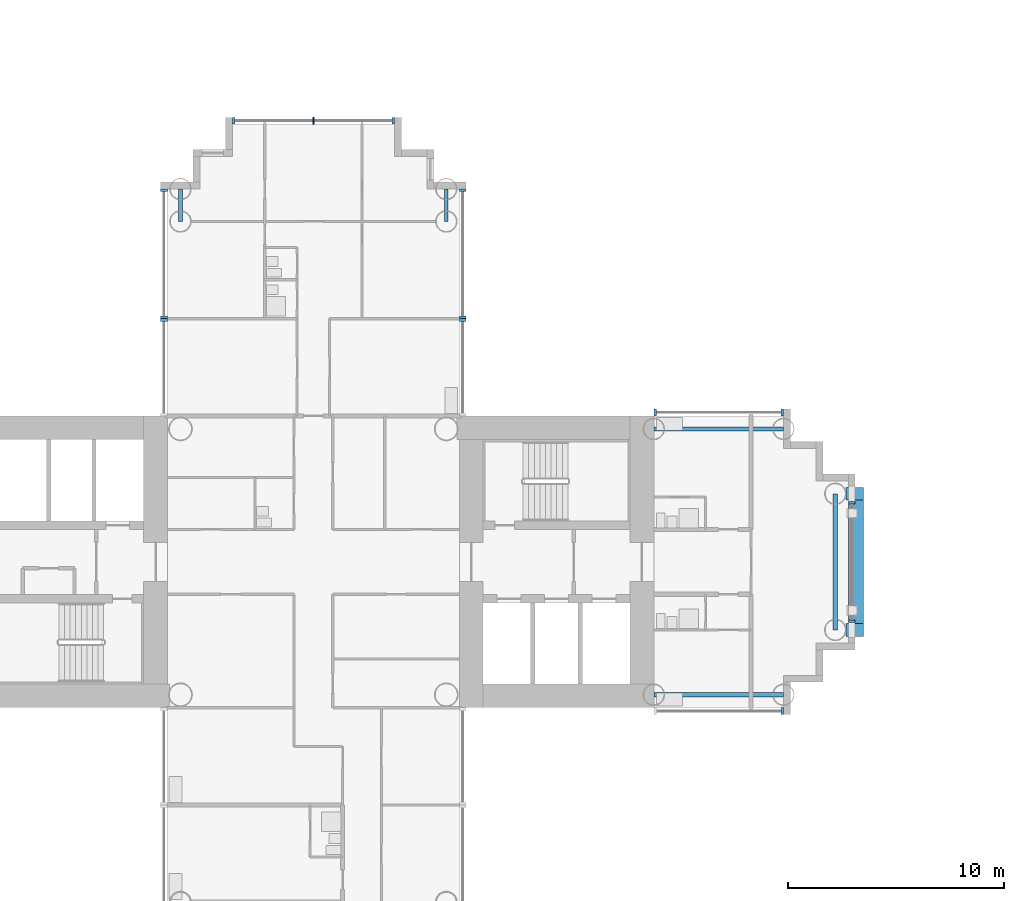
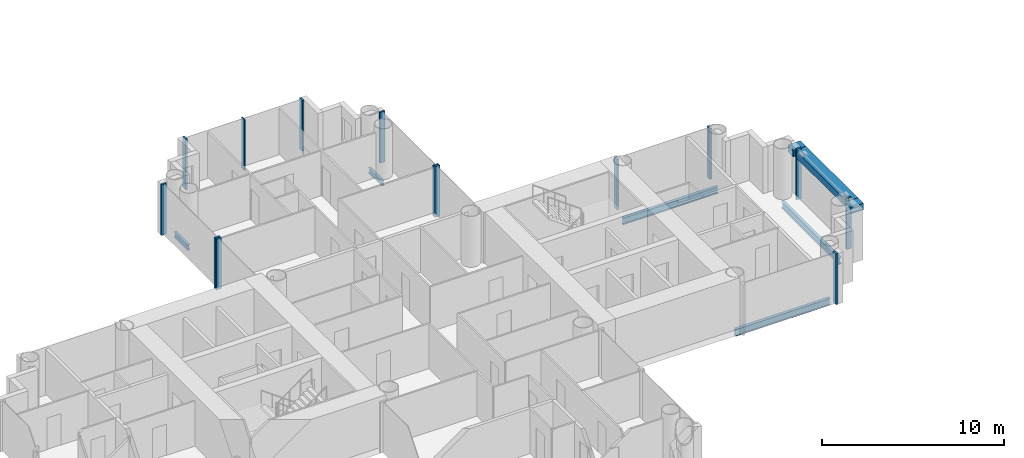
# One storey, part 4 of 22: 14 members, 8 beams, 8 elements without a shape of their own.
"""IFC4 building model written with IfcOpenShell, lengths in metres."""

from ifc_helpers import new_model, si_unit, direction, frame, origin, origin_2d, place, context, subcontext, project, spatial, rectangle, hollow_rectangle, i_section, extrude, material, layer, layer_set, material_profile, profile_set, type_object, element, aggregate, save


model = new_model("IFC4")

# Units and contexts
model_context = context("Model", 3, precision=1e-05, world=origin(), true_north=direction((0.0, 1.0)))
body_context = subcontext(model_context, "Body", "Model", "MODEL_VIEW")
ifc_project = project(units=[si_unit("LENGTHUNIT", "METRE"), si_unit("AREAUNIT", "SQUARE_METRE"), si_unit("VOLUMEUNIT", "CUBIC_METRE"), si_unit("PLANEANGLEUNIT", "RADIAN"), si_unit("MASSUNIT", "GRAM", prefix="KILO")], contexts=[model_context])

# Site, building, storey
site_placement = place(None, origin())
site = spatial("IfcSite", under=ifc_project, at=site_placement, CompositionType="ELEMENT")
building_placement = place(site_placement, origin())
building = spatial("IfcBuilding", under=site, at=building_placement, Name="Ipe Terrace Towers", CompositionType="ELEMENT")
storey_placement = place(building_placement, frame((0.0, 0.0, 68.699951171875)))
storey = spatial("IfcBuildingStorey", under=building, at=storey_placement, Name="L18", CompositionType="ELEMENT", Elevation=68.699951171875)

# Beams
ifc_material_1 = material(Name="Steel S355", Category="steel")
ifc_material_profile_1 = material_profile(ifc_material_1, hollow_rectangle(XDim=0.60009765625, YDim=0.449951171875, WallThickness=0.02490234375, at=origin_2d()), Name="BRIDGE-CORBEL BOX 600x450x25")
ifc_profile_set_1 = profile_set([ifc_material_profile_1], Name="Steel S355")
beam_type_1 = type_object("IfcBeamType", Name="BRIDGE-CORBEL BOX 600x450x25", PredefinedType="USERDEFINED", material=ifc_profile_set_1)
for number, where, z_axis, x_axis, name in (
    (1, (-11.35009765625, -3.14990234375, 2.7451171875), (1.0, 0.0, 0.0), (0.0, 1.0, 0.0), "BR1-CB-T1-S bearing seat arm"),
    (2, (-11.35009765625, 3.14990234375, 2.7451171875), (1.0, 0.0, 0.0), (0.0, 1.0, 0.0), "BR1-CB-T1-N bearing seat arm"),
):
    element("IfcBeam", number, at=place(storey_placement, frame(where, z_axis=z_axis, x_axis=x_axis)), inside=storey, type_object=beam_type_1, Name=name, ObjectType="CORBEL", PredefinedType="USERDEFINED", context=body_context, shape_type="SweptSolid", body=[
        extrude(hollow_rectangle(XDim=0.60009765625, YDim=0.449951171875, WallThickness=0.02490234375, at=origin_2d()), origin(), (0.0, 0.0, 1.0), 0.800048828125),
    ])
ifc_material_2 = material(Name="Steel S355", Category="steel")
ifc_material_profile_2 = material_profile(ifc_material_2, hollow_rectangle(XDim=0.699951171875, YDim=0.449951171875, WallThickness=0.02490234375, at=origin_2d()), Name="BRIDGE-SEAT BEAM BOX 700x450x25")
ifc_profile_set_2 = profile_set([ifc_material_profile_2], Name="Steel S355")
beam_type_2 = type_object("IfcBeamType", Name="BRIDGE-SEAT BEAM BOX 700x450x25", PredefinedType="USERDEFINED", material=ifc_profile_set_2)
beam_1_placement = place(storey_placement, frame((-10.89990234375, -2.85009765625, 2.7451171875), z_axis=(0.0, 1.0, 0.0), x_axis=(-1.0, 0.0, 0.0)))
element("IfcBeam", 3, at=beam_1_placement, inside=storey, type_object=beam_type_2, Name="BR1-SB-T1 bearing seat beam", ObjectType="SEAT BEAM", PredefinedType="USERDEFINED", context=body_context, shape_type="SweptSolid", body=[
    extrude(hollow_rectangle(XDim=0.699951171875, YDim=0.449951171875, WallThickness=0.02490234375, at=origin_2d()), origin(), (0.0, 0.0, 1.0), 5.7001953125),
])
ifc_material_3 = material(Name="Steel S355", Category="steel")
ifc_material_profile_3 = material_profile(ifc_material_3, i_section(OverallWidth=0.175048828125, OverallDepth=0.35009765625, WebThickness=0.007080078125, FlangeThickness=0.010986328125, at=origin_2d()), Name="H-350x175x7x11")
ifc_profile_set_3 = profile_set([ifc_material_profile_3], Name="Steel S355")
beam_type_3 = type_object("IfcBeamType", Name="H04 EDGE BEAM H-350x175x7x11", PredefinedType="BEAM", material=ifc_profile_set_3)
for number, where, z_axis, x_axis, name in (
    (4, (-29.85009765625, 15.75, -0.574951171875), (0.0, 1.0, 0.0), (-1.0, 0.0, 0.0), "Edge beam T1-EB-B03-B05"),
    (5, (-42.14990234375, 15.75, -0.574951171875), (0.0, 1.0, 0.0), (-1.0, 0.0, 0.0), "Edge beam T1-EB-B04-B06"),
):
    element("IfcBeam", number, at=place(storey_placement, frame(where, z_axis=z_axis, x_axis=x_axis)), inside=storey, type_object=beam_type_3, Name=name, PredefinedType="BEAM", context=body_context, shape_type="SweptSolid", body=[
        extrude(i_section(OverallWidth=0.175048828125, OverallDepth=0.35009765625, WebThickness=0.007080078125, FlangeThickness=0.010986328125, at=origin_2d()), origin(), (0.0, 0.0, 1.0), 1.5),
    ])
ifc_material_4 = material(Name="Steel S355", Category="steel")
ifc_material_profile_4 = material_profile(ifc_material_4, i_section(OverallWidth=0.199951171875, OverallDepth=0.449951171875, WebThickness=0.009033203125, FlangeThickness=0.013916015625, at=origin_2d()), Name="H-450x200x9x14")
ifc_profile_set_4 = profile_set([ifc_material_profile_4], Name="Steel S355")
beam_type_4 = type_object("IfcBeamType", Name="H08 EDGE BEAM H-450x200x9x14", PredefinedType="BEAM", material=ifc_profile_set_4)
for number, where, z_axis, x_axis, name in (
    (6, (-20.25, -6.14990234375, -0.625), (1.0, 0.0, 0.0), (0.0, 1.0, 0.0), "Edge beam T1-EB-A01-A03"),
    (7, (-20.25, 6.14990234375, -0.625), (1.0, 0.0, 0.0), (0.0, 1.0, 0.0), "Edge beam T1-EB-A02-A04"),
):
    element("IfcBeam", number, at=place(storey_placement, frame(where, z_axis=z_axis, x_axis=x_axis)), inside=storey, type_object=beam_type_4, Name=name, PredefinedType="BEAM", context=body_context, shape_type="SweptSolid", body=[
        extrude(i_section(OverallWidth=0.199951171875, OverallDepth=0.449951171875, WebThickness=0.009033203125, FlangeThickness=0.013916015625, at=origin_2d()), origin(), (0.0, 0.0, 1.0), 6.0),
    ])
beam_2_placement = place(storey_placement, frame((-11.85009765625, -3.14990234375, -0.625), z_axis=(0.0, 1.0, 0.0), x_axis=(-1.0, 0.0, 0.0)))
element("IfcBeam", 8, at=beam_2_placement, inside=storey, type_object=beam_type_4, Name="Edge beam T1-EB-A05-A06", PredefinedType="BEAM", context=body_context, shape_type="SweptSolid", body=[
    extrude(i_section(OverallWidth=0.199951171875, OverallDepth=0.449951171875, WebThickness=0.009033203125, FlangeThickness=0.013916015625, at=origin_2d()), origin(), (0.0, 0.0, 1.0), 6.2998046875),
])

# Curtain wall, member
ifc_material_5 = material(Name="Aluminium alloy 6063-T6", Category="aluminium")
ifc_layer = layer(ifc_material_5, 0.320068359375)
ifc_layer_set = layer_set([ifc_layer], Name="TOWER UNITISED CURTAIN WALL")
curtain_wall_type = type_object("IfcCurtainWallType", Name="TOWER UNITISED CURTAIN WALL", PredefinedType="NOTDEFINED", material=ifc_layer_set)
curtain_wall_1_placement = place(storey_placement, origin())
curtain_wall_1 = element("IfcCurtainWall", 9, at=curtain_wall_1_placement, inside=storey, type_object=curtain_wall_type, Name="T1-CW-L18-20b curtain wall", PredefinedType="NOTDEFINED")
ifc_material_6 = material(Name="Aluminium alloy 6063-T6", Category="aluminium")
ifc_material_profile_5 = material_profile(ifc_material_6, rectangle(XDim=0.320068359375, YDim=0.1201171875, at=origin_2d()), Name="TOWER UNITISED CORNER MULLION 320 x 120")
ifc_profile_set_5 = profile_set([ifc_material_profile_5], Name="Aluminium alloy 6063-T6")
member_type_1 = type_object("IfcMemberType", Name="TOWER UNITISED CORNER MULLION 320 x 120", PredefinedType="MULLION", material=ifc_profile_set_5)
member_1_placement = place(storey_placement, frame((-14.31005859375, -6.909912109375, -0.300048828125), z_axis=(0.0, 0.0, 1.0), x_axis=(0.0, -1.0, 0.0)))
member_1 = element("IfcMember", 10, at=member_1_placement, type_object=member_type_1, Name="T1-CW-L18-20b mullion 2", PredefinedType="MULLION", context=body_context, shape_type="SweptSolid", body=[
    extrude(rectangle(XDim=0.320068359375, YDim=0.1201171875, at=origin_2d()), origin(), (0.0, 0.0, 1.0), 3.400146484375),
])
aggregate(curtain_wall_1, [member_1])

# Curtain wall, members
curtain_wall_2_placement = place(storey_placement, origin())
curtain_wall_2 = element("IfcCurtainWall", 11, at=curtain_wall_2_placement, inside=storey, type_object=curtain_wall_type, Name="T1-CW-L18-25d curtain wall", PredefinedType="NOTDEFINED")
member_2_placement = place(storey_placement, frame((-11.090087890625, -2.739990234375, -0.300048828125), z_axis=(0.0, 0.0, 1.0), x_axis=(1.0, 0.0, 0.0)))
member_2 = element("IfcMember", 12, at=member_2_placement, type_object=member_type_1, Name="T1-CW-L18-25d mullion 1", PredefinedType="MULLION", context=body_context, shape_type="SweptSolid", body=[
    extrude(rectangle(XDim=0.320068359375, YDim=0.1201171875, at=origin_2d()), origin(), (0.0, 0.0, 1.0), 3.400146484375),
])
member_3_placement = place(storey_placement, frame((-11.090087890625, 2.739990234375, -0.300048828125), z_axis=(0.0, 0.0, 1.0), x_axis=(1.0, 0.0, 0.0)))
member_3 = element("IfcMember", 13, at=member_3_placement, type_object=member_type_1, Name="T1-CW-L18-25d mullion 2", PredefinedType="MULLION", context=body_context, shape_type="SweptSolid", body=[
    extrude(rectangle(XDim=0.320068359375, YDim=0.1201171875, at=origin_2d()), origin(), (0.0, 0.0, 1.0), 3.400146484375),
])
aggregate(curtain_wall_2, [member_2, member_3])

curtain_wall_3_placement = place(storey_placement, origin())
curtain_wall_3 = element("IfcCurtainWall", 14, at=curtain_wall_3_placement, inside=storey, type_object=curtain_wall_type, Name="T1-CW-L18-30a curtain wall", PredefinedType="NOTDEFINED")
member_4_placement = place(storey_placement, frame((-14.31005859375, 6.909912109375, -0.300048828125), z_axis=(0.0, 0.0, 1.0), x_axis=(0.0, 1.0, 0.0)))
member_4 = element("IfcMember", 15, at=member_4_placement, type_object=member_type_1, Name="T1-CW-L18-30a mullion 1", PredefinedType="MULLION", context=body_context, shape_type="SweptSolid", body=[
    extrude(rectangle(XDim=0.320068359375, YDim=0.1201171875, at=origin_2d()), origin(), (0.0, 0.0, 1.0), 3.400146484375),
])
member_5_placement = place(storey_placement, frame((-20.18896484375, 6.909912109375, -0.300048828125), z_axis=(0.0, 0.0, 1.0), x_axis=(0.0, 1.0, 0.0)))
member_5 = element("IfcMember", 16, at=member_5_placement, type_object=member_type_1, Name="T1-CW-L18-30a mullion 2", PredefinedType="MULLION", context=body_context, shape_type="SweptSolid", body=[
    extrude(rectangle(XDim=0.320068359375, YDim=0.1201171875, at=origin_2d()), origin(), (0.0, 0.0, 1.0), 3.400146484375),
])
aggregate(curtain_wall_3, [member_4, member_5])

# Curtain wall, member
curtain_wall_4_placement = place(storey_placement, origin())
curtain_wall_4 = element("IfcCurtainWall", 17, at=curtain_wall_4_placement, inside=storey, type_object=curtain_wall_type, Name="T1-CW-L18-32a curtain wall", PredefinedType="NOTDEFINED")
member_6_placement = place(storey_placement, frame((-29.090087890625, 11.18994140625, -0.300048828125), z_axis=(0.0, 0.0, 1.0), x_axis=(1.0, 0.0, 0.0)))
member_6 = element("IfcMember", 18, at=member_6_placement, type_object=member_type_1, Name="T1-CW-L18-32a mullion 2", PredefinedType="MULLION", context=body_context, shape_type="SweptSolid", body=[
    extrude(rectangle(XDim=0.320068359375, YDim=0.1201171875, at=origin_2d()), origin(), (0.0, 0.0, 1.0), 3.400146484375),
])
aggregate(curtain_wall_4, [member_6])

# Curtain wall, members
curtain_wall_5_placement = place(storey_placement, origin())
curtain_wall_5 = element("IfcCurtainWall", 19, at=curtain_wall_5_placement, inside=storey, type_object=curtain_wall_type, Name="T1-CW-L18-33a curtain wall", PredefinedType="NOTDEFINED")
member_7_placement = place(storey_placement, frame((-29.090087890625, 11.31005859375, -0.300048828125), z_axis=(0.0, 0.0, 1.0), x_axis=(1.0, 0.0, 0.0)))
member_7 = element("IfcMember", 20, at=member_7_placement, type_object=member_type_1, Name="T1-CW-L18-33a mullion 1", PredefinedType="MULLION", context=body_context, shape_type="SweptSolid", body=[
    extrude(rectangle(XDim=0.320068359375, YDim=0.1201171875, at=origin_2d()), origin(), (0.0, 0.0, 1.0), 3.400146484375),
])
member_8_placement = place(storey_placement, frame((-29.090087890625, 17.18994140625, -0.300048828125), z_axis=(0.0, 0.0, 1.0), x_axis=(1.0, 0.0, 0.0)))
member_8 = element("IfcMember", 21, at=member_8_placement, type_object=member_type_1, Name="T1-CW-L18-33a mullion 2", PredefinedType="MULLION", context=body_context, shape_type="SweptSolid", body=[
    extrude(rectangle(XDim=0.320068359375, YDim=0.1201171875, at=origin_2d()), origin(), (0.0, 0.0, 1.0), 3.400146484375),
])
aggregate(curtain_wall_5, [member_7, member_8])

curtain_wall_6_placement = place(storey_placement, origin())
curtain_wall_6 = element("IfcCurtainWall", 22, at=curtain_wall_6_placement, inside=storey, type_object=curtain_wall_type, Name="T1-CW-L18-38a curtain wall", PredefinedType="NOTDEFINED")
member_9_placement = place(storey_placement, frame((-32.31005859375, 20.409912109375, -0.300048828125), z_axis=(0.0, 0.0, 1.0), x_axis=(0.0, 1.0, 0.0)))
member_9 = element("IfcMember", 23, at=member_9_placement, type_object=member_type_1, Name="T1-CW-L18-38a mullion 1", PredefinedType="MULLION", context=body_context, shape_type="SweptSolid", body=[
    extrude(rectangle(XDim=0.320068359375, YDim=0.1201171875, at=origin_2d()), origin(), (0.0, 0.0, 1.0), 3.400146484375),
])
member_10_placement = place(storey_placement, frame((-39.68994140625, 20.409912109375, -0.300048828125), z_axis=(0.0, 0.0, 1.0), x_axis=(0.0, 1.0, 0.0)))
member_10 = element("IfcMember", 24, at=member_10_placement, type_object=member_type_1, Name="T1-CW-L18-38a mullion 3", PredefinedType="MULLION", context=body_context, shape_type="SweptSolid", body=[
    extrude(rectangle(XDim=0.320068359375, YDim=0.1201171875, at=origin_2d()), origin(), (0.0, 0.0, 1.0), 3.400146484375),
])

curtain_wall_7_placement = place(storey_placement, origin())
curtain_wall_7 = element("IfcCurtainWall", 25, at=curtain_wall_7_placement, inside=storey, type_object=curtain_wall_type, Name="T1-CW-L18-43a curtain wall", PredefinedType="NOTDEFINED")
member_11_placement = place(storey_placement, frame((-42.909912109375, 17.18994140625, -0.300048828125), z_axis=(0.0, 0.0, 1.0), x_axis=(-1.0, 0.0, 0.0)))
member_11 = element("IfcMember", 26, at=member_11_placement, type_object=member_type_1, Name="T1-CW-L18-43a mullion 1", PredefinedType="MULLION", context=body_context, shape_type="SweptSolid", body=[
    extrude(rectangle(XDim=0.320068359375, YDim=0.1201171875, at=origin_2d()), origin(), (0.0, 0.0, 1.0), 3.400146484375),
])
member_12_placement = place(storey_placement, frame((-42.909912109375, 11.31005859375, -0.300048828125), z_axis=(0.0, 0.0, 1.0), x_axis=(-1.0, 0.0, 0.0)))
member_12 = element("IfcMember", 27, at=member_12_placement, type_object=member_type_1, Name="T1-CW-L18-43a mullion 2", PredefinedType="MULLION", context=body_context, shape_type="SweptSolid", body=[
    extrude(rectangle(XDim=0.320068359375, YDim=0.1201171875, at=origin_2d()), origin(), (0.0, 0.0, 1.0), 3.400146484375),
])
aggregate(curtain_wall_7, [member_11, member_12])

# Curtain wall, member
curtain_wall_8_placement = place(storey_placement, origin())
curtain_wall_8 = element("IfcCurtainWall", 28, at=curtain_wall_8_placement, inside=storey, type_object=curtain_wall_type, Name="T1-CW-L18-44a curtain wall", PredefinedType="NOTDEFINED")
member_13_placement = place(storey_placement, frame((-42.909912109375, 11.18994140625, -0.300048828125), z_axis=(0.0, 0.0, 1.0), x_axis=(-1.0, 0.0, 0.0)))
member_13 = element("IfcMember", 29, at=member_13_placement, type_object=member_type_1, Name="T1-CW-L18-44a mullion 1", PredefinedType="MULLION", context=body_context, shape_type="SweptSolid", body=[
    extrude(rectangle(XDim=0.320068359375, YDim=0.1201171875, at=origin_2d()), origin(), (0.0, 0.0, 1.0), 3.400146484375),
])
aggregate(curtain_wall_8, [member_13])

# Member
ifc_material_7 = material(Name="Aluminium alloy 6063-T6", Category="aluminium")
ifc_material_profile_6 = material_profile(ifc_material_7, rectangle(XDim=0.320068359375, YDim=0.06494140625, at=origin_2d()), Name="TOWER UNITISED MULLION 320 x 65")
ifc_profile_set_6 = profile_set([ifc_material_profile_6], Name="Aluminium alloy 6063-T6")
member_type_2 = type_object("IfcMemberType", Name="TOWER UNITISED MULLION 320 x 65", PredefinedType="MULLION", material=ifc_profile_set_6)
member_14_placement = place(storey_placement, frame((-36.0, 20.409912109375, -0.300048828125), z_axis=(0.0, 0.0, 1.0), x_axis=(0.0, 1.0, 0.0)))
member_14 = element("IfcMember", 30, at=member_14_placement, type_object=member_type_2, Name="T1-CW-L18-38a mullion 2", PredefinedType="MULLION", context=body_context, shape_type="SweptSolid", body=[
    extrude(rectangle(XDim=0.320068359375, YDim=0.06494140625, at=origin_2d()), origin(), (0.0, 0.0, 1.0), 3.400146484375),
])

aggregate(curtain_wall_6, [member_9, member_14, member_10])

save(model, "model.ifc")
